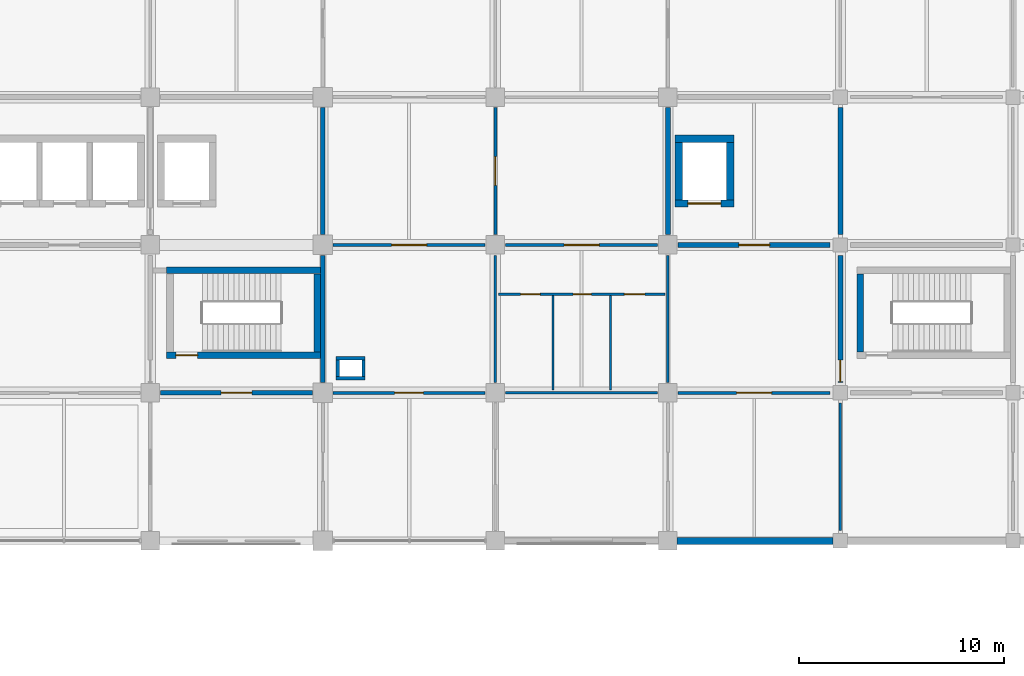
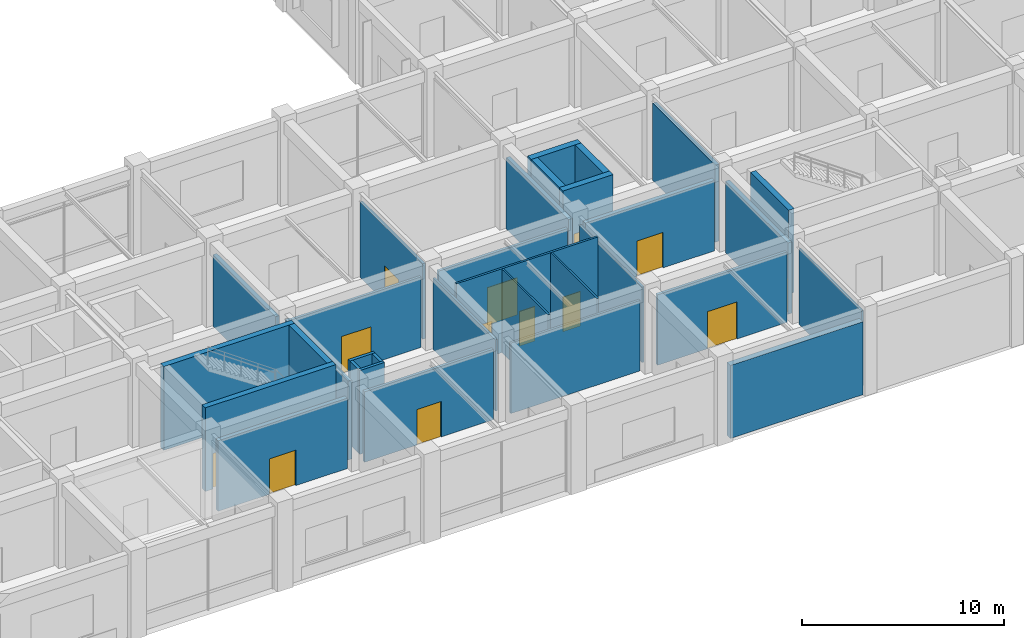
# One storey, part 25 of 41: 32 walls, 13 doors, 13 openings.
"""IFC4 building model written with IfcOpenShell, lengths in metres."""

from ifc_helpers import new_model, si_unit, derived_unit, direction, frame, frame_2d, origin, place, context, subcontext, project, spatial, rectangle, extrude, material, layer, layer_set, type_object, element, fill, save


model = new_model("IFC4")

# Units and contexts
model_context = context("Model", 3, precision=1e-05, world=origin(), true_north=direction((0.0, 1.0)))
body_context = subcontext(model_context, "Body", "Model", "MODEL_VIEW")
ifc_project = project(units=[si_unit("LENGTHUNIT", "METRE"), si_unit("AREAUNIT", "SQUARE_METRE"), si_unit("VOLUMEUNIT", "CUBIC_METRE"), si_unit("PLANEANGLEUNIT", "RADIAN"), si_unit("MASSUNIT", "GRAM", prefix="KILO"), derived_unit("THERMALTRANSMITTANCEUNIT", [(si_unit("MASSUNIT", "GRAM", prefix="KILO"), 1), (si_unit("TIMEUNIT", "SECOND"), -3), (si_unit("THERMODYNAMICTEMPERATUREUNIT", "KELVIN"), -1)])], contexts=[model_context])

# Site, building, storey
site_placement = place(None, origin())
site = spatial("IfcSite", under=ifc_project, at=site_placement, CompositionType="ELEMENT")
building_placement = place(site_placement, origin())
building = spatial("IfcBuilding", under=site, at=building_placement, Name="Veldstrom Oceanarium and Marine Research Institute", CompositionType="ELEMENT")
storey_placement = place(building_placement, frame((0.0, 0.0, 6.0)))
storey = spatial("IfcBuildingStorey", under=building, at=storey_placement, Name="L01", CompositionType="ELEMENT", Elevation=6.0)

# Wall
ifc_material_1 = material(Name="Masonry Cavity Wall", Category="masonry")
ifc_layer_1 = layer(ifc_material_1, 0.340087890625)
ifc_layer_set_1 = layer_set([ifc_layer_1], Name="ARC-WAL-EW4")
wall_type_1 = type_object("IfcWallType", Name="ARC-WAL-EW4", PredefinedType="SOLIDWALL", material=ifc_layer_set_1)
wall_1_placement = place(storey_placement, frame((118.050048828125, 43.199951171875, 0.0), z_axis=(0.0, 0.0, 1.0), x_axis=(1.0, 0.0, 0.0)))
element("IfcWall", 1, at=wall_1_placement, inside=storey, type_object=wall_type_1, Name="Exterior Facade Wall EW4 L01-096", PredefinedType="SOLIDWALL", context=body_context, shape_type="SweptSolid", body=[
    extrude(rectangle(XDim=7.599853515625, YDim=0.340087890625, at=frame_2d((3.7998046875, 0.0))), origin(), (0.0, 0.0, 1.0), 4.419921875),
])

# Wall, opening, door
ifc_material_2 = material(Name="Masonry Fire Compartment Wall", Category="masonry")
ifc_layer_2 = layer(ifc_material_2, 0.22998046875)
ifc_layer_set_2 = layer_set([ifc_layer_2], Name="ARC-WAL-PT1")
wall_type_2 = type_object("IfcWallType", Name="ARC-WAL-PT1", PredefinedType="PARTITIONING", material=ifc_layer_set_2)
wall_2_placement = place(storey_placement, frame((92.89990234375, 50.39990234375, 0.0), z_axis=(0.0, 0.0, 1.0), x_axis=(1.0, 0.0, 0.0)))
wall_2 = element("IfcWall", 2, at=wall_2_placement, inside=storey, type_object=wall_type_2, Name="Interior Partition PT1 L01-0965", PredefinedType="PARTITIONING", context=body_context, shape_type="SweptSolid", body=[
    extrude(rectangle(XDim=7.400146484375, YDim=0.22998046875, at=frame_2d((3.7001953125, 0.0))), origin(), (0.0, 0.0, 1.0), 4.27001953125),
])
opening_1_placement = place(wall_2_placement, frame((2.949951171875, 0.0, 0.0)))
opening_1 = element("IfcOpeningElement", 3, at=opening_1_placement, cuts=wall_2, Name="Opening D-L01-562", PredefinedType="OPENING", context=body_context, shape_type="SweptSolid", body=[
    extrude(rectangle(XDim=1.5, YDim=2.14990234375, at=frame_2d((0.75, 1.074951171875))), frame((0.0, 0.125, 0.0), z_axis=(0.0, -1.0, 0.0), x_axis=(1.0, 0.0, 0.0)), (0.0, 0.0, 1.0), 0.25),
])
ifc_material_3 = material(Name="Painted Steel Lobby Fire Door", Category="steel")
door_type_1 = type_object("IfcDoorType", Name="ARC-DOR-SD2", OperationType="DOUBLE_DOOR_SINGLE_SWING", PredefinedType="DOOR", material=ifc_material_3)
door_1_placement = place(opening_1_placement, frame((1.5, 0.0, 0.0), z_axis=(0.0, 0.0, 1.0), x_axis=(-1.0, 0.0, 0.0)))
door_1 = element("IfcDoor", 4, at=door_1_placement, inside=storey, type_object=door_type_1, Name="Interior Door D-L01-562", OperationType="DOUBLE_DOOR_SINGLE_SWING", OverallHeight=2.14990234375, OverallWidth=1.5, PredefinedType="DOOR", context=body_context, shape_type="SweptSolid", body=[
    extrude(rectangle(XDim=1.5, YDim=2.14990234375, at=frame_2d((0.75, 1.074951171875))), frame((0.0, 0.02490234375, 0.0), z_axis=(0.0, -1.0, 0.0), x_axis=(1.0, 0.0, 0.0)), (0.0, 0.0, 1.0), 0.050048828125),
])
fill(opening_1, door_1)

# Walls
wall_3_placement = place(storey_placement, frame((100.800048828125, 50.89990234375, 0.0), z_axis=(0.0, 0.0, 1.0), x_axis=(0.0, 1.0, 0.0)))
element("IfcWall", 5, at=wall_3_placement, inside=storey, type_object=wall_type_2, Name="Interior Partition PT1 L01-0966", PredefinedType="PARTITIONING", context=body_context, shape_type="SweptSolid", body=[
    extrude(rectangle(XDim=6.2001953125, YDim=0.22998046875, at=frame_2d((3.10009765625, 0.0))), origin(), (0.0, 0.0, 1.0), 4.780029296875),
])
for number, where, z_axis, x_axis, name in (
    (6, (100.800048828125, 58.10009765625, 0.0), (0.0, 0.0, 1.0), (0.0, 1.0, 0.0), "Interior Partition PT1 L01-0968"),
    (7, (117.60009765625, 58.10009765625, 0.0), (0.0, 0.0, 1.0), (0.0, 1.0, 0.0), "Interior Partition PT1 L01-0982"),
):
    element("IfcWall", number, at=place(storey_placement, frame(where, z_axis=z_axis, x_axis=x_axis)), inside=storey, type_object=wall_type_2, Name=name, PredefinedType="PARTITIONING", context=body_context, shape_type="SweptSolid", body=[
        extrude(rectangle(XDim=6.199951171875, YDim=0.22998046875, at=frame_2d((3.10009765625, 0.0))), origin(), (0.0, 0.0, 1.0), 4.320068359375),
    ])

# Wall, opening, door
wall_4_placement = place(storey_placement, frame((126.0, 50.89990234375, 0.0), z_axis=(0.0, 0.0, 1.0), x_axis=(0.0, 1.0, 0.0)))
wall_4 = element("IfcWall", 8, at=wall_4_placement, inside=storey, type_object=wall_type_2, Name="Interior Partition PT1 L01-0987", PredefinedType="PARTITIONING", context=body_context, shape_type="SweptSolid", body=[
    extrude(rectangle(XDim=6.2001953125, YDim=0.22998046875, at=frame_2d((3.10009765625, 0.0))), origin(), (0.0, 0.0, 1.0), 4.320068359375),
])
opening_2_placement = place(wall_4_placement, frame((0.050048828125, 0.0, 0.0)))
opening_2 = element("IfcOpeningElement", 9, at=opening_2_placement, cuts=wall_4, Name="Opening D-L01-573", PredefinedType="OPENING", context=body_context, shape_type="SweptSolid", body=[
    extrude(rectangle(XDim=1.050048828125, YDim=2.14990234375, at=frame_2d((0.52490234375, 1.074951171875))), frame((0.0, 0.125, 0.0), z_axis=(0.0, -1.0, 0.0), x_axis=(1.0, 0.0, 0.0)), (0.0, 0.0, 1.0), 0.25),
])
ifc_material_4 = material(Name="Painted Steel Fire Door", Category="steel")
door_type_2 = type_object("IfcDoorType", Name="ARC-DOR-SD1", OperationType="SINGLE_SWING_LEFT", PredefinedType="DOOR", material=ifc_material_4)
door_2_placement = place(opening_2_placement, origin())
door_2 = element("IfcDoor", 10, at=door_2_placement, inside=storey, type_object=door_type_2, Name="Interior Door D-L01-573", OperationType="SINGLE_SWING_LEFT", OverallHeight=2.14990234375, OverallWidth=1.050048828125, PredefinedType="DOOR", context=body_context, shape_type="SweptSolid", body=[
    extrude(rectangle(XDim=1.050048828125, YDim=2.14990234375, at=frame_2d((0.52490234375, 1.074951171875))), frame((0.0, 0.02490234375, 0.0), z_axis=(0.0, -1.0, 0.0), x_axis=(1.0, 0.0, 0.0)), (0.0, 0.0, 1.0), 0.050048828125),
])
fill(opening_2, door_2)

wall_5_placement = place(storey_placement, frame((118.10009765625, 57.60009765625, 0.0), z_axis=(0.0, 0.0, 1.0), x_axis=(1.0, 0.0, 0.0)))
wall_5 = element("IfcWall", 11, at=wall_5_placement, inside=storey, type_object=wall_type_2, Name="Interior Partition PT1 L01-0988", PredefinedType="PARTITIONING", context=body_context, shape_type="SweptSolid", body=[
    extrude(rectangle(XDim=7.39990234375, YDim=0.22998046875, at=frame_2d((3.699951171875, 0.0))), origin(), (0.0, 0.0, 1.0), 4.27001953125),
])
opening_3_placement = place(wall_5_placement, frame((2.949951171875, 0.0, 0.0)))
opening_3 = element("IfcOpeningElement", 12, at=opening_3_placement, cuts=wall_5, Name="Opening D-L01-574", PredefinedType="OPENING", context=body_context, shape_type="SweptSolid", body=[
    extrude(rectangle(XDim=1.5, YDim=2.14990234375, at=frame_2d((0.75, 1.074951171875))), frame((0.0, 0.125, 0.0), z_axis=(0.0, -1.0, 0.0), x_axis=(1.0, 0.0, 0.0)), (0.0, 0.0, 1.0), 0.25),
])
door_3_placement = place(opening_3_placement, frame((1.5, 0.0, 0.0), z_axis=(0.0, 0.0, 1.0), x_axis=(-1.0, 0.0, 0.0)))
door_3 = element("IfcDoor", 13, at=door_3_placement, inside=storey, type_object=door_type_1, Name="Interior Door D-L01-574", OperationType="DOUBLE_DOOR_SINGLE_SWING", OverallHeight=2.14990234375, OverallWidth=1.5, PredefinedType="DOOR", context=body_context, shape_type="SweptSolid", body=[
    extrude(rectangle(XDim=1.5, YDim=2.14990234375, at=frame_2d((0.75, 1.074951171875))), frame((0.0, 0.02490234375, 0.0), z_axis=(0.0, -1.0, 0.0), x_axis=(1.0, 0.0, 0.0)), (0.0, 0.0, 1.0), 0.050048828125),
])
fill(opening_3, door_3)

# Wall
wall_6_placement = place(storey_placement, frame((126.0, 58.10009765625, 0.0), z_axis=(0.0, 0.0, 1.0), x_axis=(0.0, 1.0, 0.0)))
element("IfcWall", 14, at=wall_6_placement, inside=storey, type_object=wall_type_2, Name="Interior Partition PT1 L01-0989", PredefinedType="PARTITIONING", context=body_context, shape_type="SweptSolid", body=[
    extrude(rectangle(XDim=6.199951171875, YDim=0.22998046875, at=frame_2d((3.10009765625, 0.0))), origin(), (0.0, 0.0, 1.0), 4.669921875),
])

# Wall, opening, door
ifc_material_5 = material(Name="Drywall Corridor Partition", Category="gypsum")
ifc_layer_3 = layer(ifc_material_5, 0.155029296875)
ifc_layer_set_3 = layer_set([ifc_layer_3], Name="ARC-WAL-PT4")
wall_type_3 = type_object("IfcWallType", Name="ARC-WAL-PT4", PredefinedType="PARTITIONING", material=ifc_layer_set_3)
wall_7_placement = place(storey_placement, frame((101.300048828125, 50.39990234375, 0.0), z_axis=(0.0, 0.0, 1.0), x_axis=(1.0, 0.0, 0.0)))
wall_7 = element("IfcWall", 15, at=wall_7_placement, inside=storey, type_object=wall_type_3, Name="Interior Partition PT4 L01-0972", PredefinedType="PARTITIONING", context=body_context, shape_type="SweptSolid", body=[
    extrude(rectangle(XDim=7.39990234375, YDim=0.155029296875, at=frame_2d((3.699951171875, 0.0))), origin(), (0.0, 0.0, 1.0), 4.27001953125),
])
opening_4_placement = place(wall_7_placement, frame((3.0, 0.0, 0.0)))
opening_4 = element("IfcOpeningElement", 16, at=opening_4_placement, cuts=wall_7, Name="Opening D-L01-565", PredefinedType="OPENING", context=body_context, shape_type="SweptSolid", body=[
    extrude(rectangle(XDim=1.39990234375, YDim=2.14990234375, at=frame_2d((0.699951171875, 1.074951171875))), frame((0.0, 0.08740234375, 0.0), z_axis=(0.0, -1.0, 0.0), x_axis=(1.0, 0.0, 0.0)), (0.0, 0.0, 1.0), 0.175048828125),
])
ifc_material_6 = material(Name="Education Classroom Door", Category="timber")
door_type_3 = type_object("IfcDoorType", Name="ARC-DOR-ID04", OperationType="DOUBLE_DOOR_SINGLE_SWING", PredefinedType="DOOR", material=ifc_material_6)
door_4_placement = place(opening_4_placement, frame((1.39990234375, 0.0, 0.0), z_axis=(0.0, 0.0, 1.0), x_axis=(-1.0, 0.0, 0.0)))
door_4 = element("IfcDoor", 17, at=door_4_placement, inside=storey, type_object=door_type_3, Name="Interior Door D-L01-565", OperationType="DOUBLE_DOOR_SINGLE_SWING", OverallHeight=2.14990234375, OverallWidth=1.39990234375, PredefinedType="DOOR", context=body_context, shape_type="SweptSolid", body=[
    extrude(rectangle(XDim=1.39990234375, YDim=2.14990234375, at=frame_2d((0.699951171875, 1.074951171875))), frame((0.0, 0.02490234375, 0.0), z_axis=(0.0, -1.0, 0.0), x_axis=(1.0, 0.0, 0.0)), (0.0, 0.0, 1.0), 0.050048828125),
])
fill(opening_4, door_4)

wall_8_placement = place(storey_placement, frame((109.199951171875, 58.10009765625, 0.0), z_axis=(0.0, 0.0, 1.0), x_axis=(0.0, 1.0, 0.0)))
wall_8 = element("IfcWall", 18, at=wall_8_placement, inside=storey, type_object=wall_type_3, Name="Interior Partition PT4 L01-0975", PredefinedType="PARTITIONING", context=body_context, shape_type="SweptSolid", body=[
    extrude(rectangle(XDim=6.199951171875, YDim=0.155029296875, at=frame_2d((3.10009765625, 0.0))), origin(), (0.0, 0.0, 1.0), 4.570068359375),
])
opening_5_placement = place(wall_8_placement, frame((2.39990234375, 0.0, 0.0)))
opening_5 = element("IfcOpeningElement", 19, at=opening_5_placement, cuts=wall_8, Name="Opening D-L01-567", PredefinedType="OPENING", context=body_context, shape_type="SweptSolid", body=[
    extrude(rectangle(XDim=1.39990234375, YDim=2.14990234375, at=frame_2d((0.699951171875, 1.074951171875))), frame((0.0, 0.08740234375, 0.0), z_axis=(0.0, -1.0, 0.0), x_axis=(1.0, 0.0, 0.0)), (0.0, 0.0, 1.0), 0.175048828125),
])
door_5_placement = place(opening_5_placement, origin())
door_5 = element("IfcDoor", 20, at=door_5_placement, inside=storey, type_object=door_type_3, Name="Interior Door D-L01-567", OperationType="DOUBLE_DOOR_SINGLE_SWING", OverallHeight=2.14990234375, OverallWidth=1.39990234375, PredefinedType="DOOR", context=body_context, shape_type="SweptSolid", body=[
    extrude(rectangle(XDim=1.39990234375, YDim=2.14990234375, at=frame_2d((0.699951171875, 1.074951171875))), frame((0.0, 0.02490234375, 0.0), z_axis=(0.0, -1.0, 0.0), x_axis=(1.0, 0.0, 0.0)), (0.0, 0.0, 1.0), 0.050048828125),
])
fill(opening_5, door_5)

wall_9_placement = place(storey_placement, frame((109.699951171875, 57.60009765625, 0.0), z_axis=(0.0, 0.0, 1.0), x_axis=(1.0, 0.0, 0.0)))
wall_9 = element("IfcWall", 21, at=wall_9_placement, inside=storey, type_object=wall_type_3, Name="Interior Partition PT4 L01-0981", PredefinedType="PARTITIONING", context=body_context, shape_type="SweptSolid", body=[
    extrude(rectangle(XDim=7.400146484375, YDim=0.155029296875, at=frame_2d((3.7001953125, 0.0))), origin(), (0.0, 0.0, 1.0), 4.27001953125),
])
opening_6_placement = place(wall_9_placement, frame((2.85009765625, 0.0, 0.0)))
opening_6 = element("IfcOpeningElement", 22, at=opening_6_placement, cuts=wall_9, Name="Opening D-L01-570", PredefinedType="OPENING", context=body_context, shape_type="SweptSolid", body=[
    extrude(rectangle(XDim=1.699951171875, YDim=2.25, at=frame_2d((0.85009765625, 1.125))), frame((0.0, 0.08740234375, 0.0), z_axis=(0.0, -1.0, 0.0), x_axis=(1.0, 0.0, 0.0)), (0.0, 0.0, 1.0), 0.175048828125),
])
ifc_material_7 = material(Name="Symposium Auditorium Door", Category="timber")
door_type_4 = type_object("IfcDoorType", Name="ARC-DOR-ID13", OperationType="DOUBLE_DOOR_SINGLE_SWING", PredefinedType="DOOR", material=ifc_material_7)
door_6_placement = place(opening_6_placement, frame((1.699951171875, 0.0, 0.0), z_axis=(0.0, 0.0, 1.0), x_axis=(-1.0, 0.0, 0.0)))
door_6 = element("IfcDoor", 23, at=door_6_placement, inside=storey, type_object=door_type_4, Name="Interior Door D-L01-570", OperationType="DOUBLE_DOOR_SINGLE_SWING", OverallHeight=2.25, OverallWidth=1.699951171875, PredefinedType="DOOR", context=body_context, shape_type="SweptSolid", body=[
    extrude(rectangle(XDim=1.699951171875, YDim=2.25, at=frame_2d((0.85009765625, 1.125))), frame((0.0, 0.02490234375, 0.0), z_axis=(0.0, -1.0, 0.0), x_axis=(1.0, 0.0, 0.0)), (0.0, 0.0, 1.0), 0.050048828125),
])
fill(opening_6, door_6)

wall_10_placement = place(storey_placement, frame((118.10009765625, 50.39990234375, 0.0), z_axis=(0.0, 0.0, 1.0), x_axis=(1.0, 0.0, 0.0)))
wall_10 = element("IfcWall", 24, at=wall_10_placement, inside=storey, type_object=wall_type_3, Name="Interior Partition PT4 L01-0986", PredefinedType="PARTITIONING", context=body_context, shape_type="SweptSolid", body=[
    extrude(rectangle(XDim=7.39990234375, YDim=0.155029296875, at=frame_2d((3.699951171875, 0.0))), origin(), (0.0, 0.0, 1.0), 4.27001953125),
])
opening_7_placement = place(wall_10_placement, frame((2.85009765625, 0.0, 0.0)))
opening_7 = element("IfcOpeningElement", 25, at=opening_7_placement, cuts=wall_10, Name="Opening D-L01-572", PredefinedType="OPENING", context=body_context, shape_type="SweptSolid", body=[
    extrude(rectangle(XDim=1.699951171875, YDim=2.25, at=frame_2d((0.85009765625, 1.125))), frame((0.0, 0.08740234375, 0.0), z_axis=(0.0, -1.0, 0.0), x_axis=(1.0, 0.0, 0.0)), (0.0, 0.0, 1.0), 0.175048828125),
])
door_7_placement = place(opening_7_placement, frame((1.699951171875, 0.0, 0.0), z_axis=(0.0, 0.0, 1.0), x_axis=(-1.0, 0.0, 0.0)))
door_7 = element("IfcDoor", 26, at=door_7_placement, inside=storey, type_object=door_type_4, Name="Interior Door D-L01-572", OperationType="DOUBLE_DOOR_SINGLE_SWING", OverallHeight=2.25, OverallWidth=1.699951171875, PredefinedType="DOOR", context=body_context, shape_type="SweptSolid", body=[
    extrude(rectangle(XDim=1.699951171875, YDim=2.25, at=frame_2d((0.85009765625, 1.125))), frame((0.0, 0.02490234375, 0.0), z_axis=(0.0, -1.0, 0.0), x_axis=(1.0, 0.0, 0.0)), (0.0, 0.0, 1.0), 0.050048828125),
])
fill(opening_7, door_7)

ifc_material_8 = material(Name="Moisture-Resistant Wet-Area Partition", Category="masonry")
ifc_layer_4 = layer(ifc_material_8, 0.139892578125)
ifc_layer_set_4 = layer_set([ifc_layer_4], Name="ARC-WAL-PT5")
wall_type_4 = type_object("IfcWallType", Name="ARC-WAL-PT5", PredefinedType="PARTITIONING", material=ifc_layer_set_4)
wall_11_placement = place(storey_placement, frame((101.300048828125, 57.60009765625, 0.0), z_axis=(0.0, 0.0, 1.0), x_axis=(1.0, 0.0, 0.0)))
wall_11 = element("IfcWall", 27, at=wall_11_placement, inside=storey, type_object=wall_type_4, Name="Interior Partition PT5 L01-0974", PredefinedType="PARTITIONING", context=body_context, shape_type="SweptSolid", body=[
    extrude(rectangle(XDim=7.39990234375, YDim=0.139892578125, at=frame_2d((3.699951171875, 0.0))), origin(), (0.0, 0.0, 1.0), 4.27001953125),
])
opening_8_placement = place(wall_11_placement, frame((2.85009765625, 0.0, 0.0)))
opening_8 = element("IfcOpeningElement", 28, at=opening_8_placement, cuts=wall_11, Name="Opening D-L01-566", PredefinedType="OPENING", context=body_context, shape_type="SweptSolid", body=[
    extrude(rectangle(XDim=1.699951171875, YDim=2.25, at=frame_2d((0.85009765625, 1.125))), frame((0.0, 0.079833984375, 0.0), z_axis=(0.0, -1.0, 0.0), x_axis=(1.0, 0.0, 0.0)), (0.0, 0.0, 1.0), 0.159912109375),
])
door_8_placement = place(opening_8_placement, origin())
door_8 = element("IfcDoor", 29, at=door_8_placement, inside=storey, type_object=door_type_4, Name="Interior Door D-L01-566", OperationType="DOUBLE_DOOR_SINGLE_SWING", OverallHeight=2.25, OverallWidth=1.699951171875, PredefinedType="DOOR", context=body_context, shape_type="SweptSolid", body=[
    extrude(rectangle(XDim=1.699951171875, YDim=2.25, at=frame_2d((0.85009765625, 1.125))), frame((0.0, 0.02490234375, 0.0), z_axis=(0.0, -1.0, 0.0), x_axis=(1.0, 0.0, 0.0)), (0.0, 0.0, 1.0), 0.050048828125),
])
fill(opening_8, door_8)

# Wall, openings, doors
ifc_material_9 = material(Name="Lightweight Studio Partition", Category="gypsum")
ifc_layer_5 = layer(ifc_material_9, 0.1201171875)
ifc_layer_set_5 = layer_set([ifc_layer_5], Name="ARC-WAL-PT6")
wall_type_5 = type_object("IfcWallType", Name="ARC-WAL-PT6", PredefinedType="PARTITIONING", material=ifc_layer_set_5)
wall_12_placement = place(storey_placement, frame((109.35009765625, 55.199951171875, 0.0), z_axis=(0.0, 0.0, 1.0), x_axis=(1.0, 0.0, 0.0)))
wall_12 = element("IfcWall", 30, at=wall_12_placement, inside=storey, type_object=wall_type_5, Name="Sanitary Vestibule Partition L01-13", PredefinedType="PARTITIONING", context=body_context, shape_type="SweptSolid", body=[
    extrude(rectangle(XDim=8.099853515625, YDim=0.1201171875, at=frame_2d((4.0498046875, 0.0))), origin(), (0.0, 0.0, 1.0), 5.074951171875),
])
opening_9_placement = place(wall_12_placement, frame((1.080078125, 0.0, 0.0)))
opening_9 = element("IfcOpeningElement", 31, at=opening_9_placement, cuts=wall_12, Name="Opening D-L01-WC474", PredefinedType="OPENING", context=body_context, shape_type="SweptSolid", body=[
    extrude(rectangle(XDim=0.949951171875, YDim=2.10009765625, at=frame_2d((0.47509765625, 1.050048828125))), frame((0.0, 0.070068359375, 0.0), z_axis=(0.0, -1.0, 0.0), x_axis=(1.0, 0.0, 0.0)), (0.0, 0.0, 1.0), 0.14013671875),
])
opening_10_placement = place(wall_12_placement, frame((3.6298828125, 0.0, 0.0)))
opening_10 = element("IfcOpeningElement", 32, at=opening_10_placement, cuts=wall_12, Name="Opening D-L01-WC475", PredefinedType="OPENING", context=body_context, shape_type="SweptSolid", body=[
    extrude(rectangle(XDim=0.89990234375, YDim=2.10009765625, at=frame_2d((0.449951171875, 1.050048828125))), frame((0.0, 0.070068359375, 0.0), z_axis=(0.0, -1.0, 0.0), x_axis=(1.0, 0.0, 0.0)), (0.0, 0.0, 1.0), 0.14013671875),
])
opening_11_placement = place(wall_12_placement, frame((6.1298828125, 0.0, 0.0)))
opening_11 = element("IfcOpeningElement", 33, at=opening_11_placement, cuts=wall_12, Name="Opening D-L01-WC476", PredefinedType="OPENING", context=body_context, shape_type="SweptSolid", body=[
    extrude(rectangle(XDim=1.0, YDim=2.10009765625, at=frame_2d((0.5, 1.050048828125))), frame((0.0, 0.070068359375, 0.0), z_axis=(0.0, -1.0, 0.0), x_axis=(1.0, 0.0, 0.0)), (0.0, 0.0, 1.0), 0.14013671875),
])
ifc_material_10 = material(Name="Accessible Sanitary Door", Category="timber")
door_type_5 = type_object("IfcDoorType", Name="ARC-DOR-ID08", OperationType="SINGLE_SWING_RIGHT", PredefinedType="DOOR", material=ifc_material_10)
door_9_placement = place(opening_11_placement, frame((1.0, 0.0, 0.0), z_axis=(0.0, 0.0, 1.0), x_axis=(-1.0, 0.0, 0.0)))
door_9 = element("IfcDoor", 34, at=door_9_placement, inside=storey, type_object=door_type_5, Name="Accessible WC Door D-L01-WC476", OperationType="SINGLE_SWING_RIGHT", OverallHeight=2.10009765625, OverallWidth=1.0, PredefinedType="DOOR", context=body_context, shape_type="SweptSolid", body=[
    extrude(rectangle(XDim=1.0, YDim=2.10009765625, at=frame_2d((0.5, 1.050048828125))), frame((0.0, 0.02490234375, 0.0), z_axis=(0.0, -1.0, 0.0), x_axis=(1.0, 0.0, 0.0)), (0.0, 0.0, 1.0), 0.050048828125),
])
fill(opening_11, door_9)
ifc_material_11 = material(Name="Staff Sanitary Door", Category="timber")
door_type_6 = type_object("IfcDoorType", Name="ARC-DOR-ID09", OperationType="SINGLE_SWING_LEFT", PredefinedType="DOOR", material=ifc_material_11)
door_10_placement = place(opening_9_placement, frame((0.949951171875, 0.0, 0.0), z_axis=(0.0, 0.0, 1.0), x_axis=(-1.0, 0.0, 0.0)))
door_10 = element("IfcDoor", 35, at=door_10_placement, inside=storey, type_object=door_type_6, Name="Male WC Door D-L01-WC474", OperationType="SINGLE_SWING_RIGHT", OverallHeight=2.10009765625, OverallWidth=0.949951171875, PredefinedType="DOOR", context=body_context, shape_type="SweptSolid", body=[
    extrude(rectangle(XDim=0.949951171875, YDim=2.10009765625, at=frame_2d((0.47509765625, 1.050048828125))), frame((0.0, 0.02490234375, 0.0), z_axis=(0.0, -1.0, 0.0), x_axis=(1.0, 0.0, 0.0)), (0.0, 0.0, 1.0), 0.050048828125),
])
fill(opening_9, door_10)
ifc_material_12 = material(Name="Internal Sanitary Door", Category="timber")
door_type_7 = type_object("IfcDoorType", Name="ARC-DOR-ID10", OperationType="SINGLE_SWING_RIGHT", PredefinedType="DOOR", material=ifc_material_12)
door_11_placement = place(opening_10_placement, frame((0.89990234375, 0.0, 0.0), z_axis=(0.0, 0.0, 1.0), x_axis=(-1.0, 0.0, 0.0)))
door_11 = element("IfcDoor", 36, at=door_11_placement, inside=storey, type_object=door_type_7, Name="Female WC Door D-L01-WC475", OperationType="SINGLE_SWING_LEFT", OverallHeight=2.10009765625, OverallWidth=0.89990234375, PredefinedType="DOOR", context=body_context, shape_type="SweptSolid", body=[
    extrude(rectangle(XDim=0.89990234375, YDim=2.10009765625, at=frame_2d((0.449951171875, 1.050048828125))), frame((0.0, 0.02490234375, 0.0), z_axis=(0.0, -1.0, 0.0), x_axis=(1.0, 0.0, 0.0)), (0.0, 0.0, 1.0), 0.050048828125),
])
fill(opening_10, door_11)

# Walls
wall_13_placement = place(storey_placement, frame((109.199951171875, 50.89990234375, 0.0), z_axis=(0.0, 0.0, 1.0), x_axis=(0.0, 1.0, 0.0)))
element("IfcWall", 37, at=wall_13_placement, inside=storey, type_object=wall_type_5, Name="Interior Partition PT6 L01-0973", PredefinedType="PARTITIONING", context=body_context, shape_type="SweptSolid", body=[
    extrude(rectangle(XDim=6.2001953125, YDim=0.1201171875, at=frame_2d((3.10009765625, 0.0))), origin(), (0.0, 0.0, 1.0), 4.320068359375),
])
wall_14_placement = place(storey_placement, frame((109.699951171875, 50.39990234375, 0.0), z_axis=(0.0, 0.0, 1.0), x_axis=(1.0, 0.0, 0.0)))
element("IfcWall", 38, at=wall_14_placement, inside=storey, type_object=wall_type_5, Name="Interior Partition PT6 L01-0979", PredefinedType="PARTITIONING", context=body_context, shape_type="SweptSolid", body=[
    extrude(rectangle(XDim=7.400146484375, YDim=0.1201171875, at=frame_2d((3.7001953125, 0.0))), origin(), (0.0, 0.0, 1.0), 4.27001953125),
])
wall_15_placement = place(storey_placement, frame((117.60009765625, 50.89990234375, 0.0), z_axis=(0.0, 0.0, 1.0), x_axis=(0.0, 1.0, 0.0)))
element("IfcWall", 39, at=wall_15_placement, inside=storey, type_object=wall_type_5, Name="Interior Partition PT6 L01-0980", PredefinedType="PARTITIONING", context=body_context, shape_type="SweptSolid", body=[
    extrude(rectangle(XDim=6.2001953125, YDim=0.1201171875, at=frame_2d((3.10009765625, 0.0))), origin(), (0.0, 0.0, 1.0), 4.570068359375),
])
wall_16_placement = place(storey_placement, frame((126.0, 43.699951171875, 0.0), z_axis=(0.0, 0.0, 1.0), x_axis=(0.0, 1.0, 0.0)))
element("IfcWall", 40, at=wall_16_placement, inside=storey, type_object=wall_type_5, Name="Interior Partition PT6 L01-0985", PredefinedType="PARTITIONING", context=body_context, shape_type="SweptSolid", body=[
    extrude(rectangle(XDim=6.199951171875, YDim=0.1201171875, at=frame_2d((3.10009765625, 0.0))), origin(), (0.0, 0.0, 1.0), 4.570068359375),
])
ifc_material_13 = material(Name="Sanitary Cubicle Partition", Category="gypsum")
ifc_layer_6 = layer(ifc_material_13, 0.10009765625)
ifc_layer_set_6 = layer_set([ifc_layer_6], Name="ARC-WAL-PT7")
wall_type_6 = type_object("IfcWallType", Name="ARC-WAL-PT7", PredefinedType="PARTITIONING", material=ifc_layer_set_6)
for number, where, z_axis, x_axis, name in (
    (41, (112.0, 50.550048828125, 0.0), (0.0, 0.0, 1.0), (0.0, 1.0, 0.0), "Sanitary Stall Divider Wall L01-0824"),
    (42, (114.800048828125, 50.550048828125, 0.0), (0.0, 0.0, 1.0), (0.0, 1.0, 0.0), "Sanitary Stall Divider Wall L01-0825"),
):
    element("IfcWall", number, at=place(storey_placement, frame(where, z_axis=z_axis, x_axis=x_axis)), inside=storey, type_object=wall_type_6, Name=name, PredefinedType="PARTITIONING", context=body_context, shape_type="SweptSolid", body=[
        extrude(rectangle(XDim=4.58984375, YDim=0.10009765625, at=frame_2d((2.294921875, 0.0))), origin(), (0.0, 0.0, 1.0), 5.074951171875),
    ])
ifc_material_14 = material(Name="Service Riser Fire Shaft Wall", Category="masonry")
ifc_layer_7 = layer(ifc_material_14, 0.1650390625)
ifc_layer_set_7 = layer_set([ifc_layer_7], Name="ARC-WAL-PT9")
wall_type_7 = type_object("IfcWallType", Name="ARC-WAL-PT9", PredefinedType="PARTITIONING", material=ifc_layer_set_7)
for number, where, z_axis, x_axis, name in (
    (43, (101.43505859375, 51.117431640625, 0.0), (0.0, 0.0, 1.0), (1.0, 0.0, 0.0), "Service Riser Fire Shaft Wall L01-CE-S"),
    (44, (101.43505859375, 52.08251953125, 0.0), (0.0, 0.0, 1.0), (1.0, 0.0, 0.0), "Service Riser Fire Shaft Wall L01-CE-N"),
):
    element("IfcWall", number, at=place(storey_placement, frame(where, z_axis=z_axis, x_axis=x_axis)), inside=storey, type_object=wall_type_7, Name=name, PredefinedType="PARTITIONING", context=body_context, shape_type="SweptSolid", body=[
        extrude(rectangle(XDim=1.429931640625, YDim=0.1650390625, at=frame_2d((0.71484375, 0.0))), origin(), (0.0, 0.0, 1.0), 5.074951171875),
    ])
for number, where, z_axis, x_axis, name in (
    (45, (101.517578125, 51.199951171875, 0.0), (0.0, 0.0, 1.0), (0.0, 1.0, 0.0), "Service Riser Fire Shaft Wall L01-CE-W"),
    (46, (102.782470703125, 51.199951171875, 0.0), (0.0, 0.0, 1.0), (0.0, 1.0, 0.0), "Service Riser Fire Shaft Wall L01-CE-E"),
):
    element("IfcWall", number, at=place(storey_placement, frame(where, z_axis=z_axis, x_axis=x_axis)), inside=storey, type_object=wall_type_7, Name=name, PredefinedType="PARTITIONING", context=body_context, shape_type="SweptSolid", body=[
        extrude(rectangle(XDim=0.800048828125, YDim=0.1650390625, at=frame_2d((0.39990234375, 0.0))), origin(), (0.0, 0.0, 1.0), 5.074951171875),
    ])
ifc_material_15 = material(Name="Concrete C40/50", Category="concrete")
ifc_layer_8 = layer(ifc_material_15, 0.360107421875)
ifc_layer_set_8 = layer_set([ifc_layer_8], Name="STR-WAL-WC2")
wall_type_8 = type_object("IfcWallType", Name="STR-WAL-WC2", PredefinedType="SHEAR", material=ifc_layer_set_8)
wall_17_placement = place(storey_placement, frame((117.93994140625, 62.780029296875, 0.0), z_axis=(0.0, 0.0, 1.0), x_axis=(1.0, 0.0, 0.0)))
element("IfcWall", 47, at=wall_17_placement, inside=storey, type_object=wall_type_8, Name="Lift Shaft Shear Wall N L01 14/8", PredefinedType="SHEAR", context=body_context, shape_type="SweptSolid", body=[
    extrude(rectangle(XDim=2.8701171875, YDim=0.360107421875, at=frame_2d((1.43505859375, 0.0))), origin(), (0.0, 0.0, 1.0), 5.074951171875),
])

# Wall, opening, door
wall_18_placement = place(storey_placement, frame((117.93994140625, 59.6201171875, 0.0), z_axis=(0.0, 0.0, 1.0), x_axis=(1.0, 0.0, 0.0)))
wall_18 = element("IfcWall", 48, at=wall_18_placement, inside=storey, type_object=wall_type_8, Name="Lift Shaft Front Shear Wall LG1 L01", PredefinedType="SHEAR", context=body_context, shape_type="SweptSolid", body=[
    extrude(rectangle(XDim=2.8701171875, YDim=0.360107421875, at=frame_2d((1.43505859375, 0.0))), origin(), (0.0, 0.0, 1.0), 5.074951171875),
])
opening_12_placement = place(wall_18_placement, frame((0.635009765625, 0.0, 0.0)))
opening_12 = element("IfcOpeningElement", 49, at=opening_12_placement, cuts=wall_18, Name="Opening LD-LG1-L01", PredefinedType="OPENING", context=body_context, shape_type="SweptSolid", body=[
    extrude(rectangle(XDim=1.60009765625, YDim=2.25, at=frame_2d((0.800048828125, 1.125))), frame((0.0, 0.18994140625, 0.0), z_axis=(0.0, -1.0, 0.0), x_axis=(1.0, 0.0, 0.0)), (0.0, 0.0, 1.0), 0.380126953125),
])
ifc_material_16 = material(Name="Heavy Goods Lift Landing Door", Category="steel")
door_type_8 = type_object("IfcDoorType", Name="ARC-DOR-LD4", OperationType="DOUBLE_DOOR_SLIDING", PredefinedType="DOOR", material=ifc_material_16)
door_12_placement = place(opening_12_placement, origin())
door_12 = element("IfcDoor", 50, at=door_12_placement, inside=storey, type_object=door_type_8, Name="Lift Landing Door LD-LG1-L01", OperationType="DOUBLE_DOOR_SLIDING", OverallHeight=2.25, OverallWidth=1.60009765625, PredefinedType="DOOR", context=body_context, shape_type="SweptSolid", body=[
    extrude(rectangle(XDim=1.60009765625, YDim=2.25, at=frame_2d((0.800048828125, 1.125))), frame((0.0, 0.02490234375, 0.0), z_axis=(0.0, -1.0, 0.0), x_axis=(1.0, 0.0, 0.0)), (0.0, 0.0, 1.0), 0.050048828125),
])
fill(opening_12, door_12)

# Walls
for number, where, z_axis, x_axis, name in (
    (51, (118.1201171875, 59.800048828125, 0.0), (0.0, 0.0, 1.0), (0.0, 1.0, 0.0), "Lift Shaft Shear Wall W L01 14/8"),
    (52, (120.6298828125, 59.800048828125, 0.0), (0.0, 0.0, 1.0), (0.0, 1.0, 0.0), "Lift Shaft Shear Wall E L01 14/8"),
):
    element("IfcWall", number, at=place(storey_placement, frame(where, z_axis=z_axis, x_axis=x_axis)), inside=storey, type_object=wall_type_8, Name=name, PredefinedType="SHEAR", context=body_context, shape_type="SweptSolid", body=[
        extrude(rectangle(XDim=2.800048828125, YDim=0.360107421875, at=frame_2d((1.39990234375, 0.0))), origin(), (0.0, 0.0, 1.0), 5.074951171875),
    ])

# Wall, opening, door
ifc_material_17 = material(Name="Concrete C40/50", Category="concrete")
ifc_layer_9 = layer(ifc_material_17, 0.320068359375)
ifc_layer_set_9 = layer_set([ifc_layer_9], Name="STR-WAL-WC3")
wall_type_9 = type_object("IfcWallType", Name="STR-WAL-WC3", PredefinedType="SHEAR", material=ifc_layer_set_9)
wall_19_placement = place(storey_placement, frame((93.199951171875, 52.239990234375, 0.0), z_axis=(0.0, 0.0, 1.0), x_axis=(1.0, 0.0, 0.0)))
wall_19 = element("IfcWall", 53, at=wall_19_placement, inside=storey, type_object=wall_type_9, Name="Stair Core Shear Wall SC2-L01-S", PredefinedType="SHEAR", context=body_context, shape_type="SweptSolid", body=[
    extrude(rectangle(XDim=7.47998046875, YDim=0.320068359375, at=frame_2d((3.739990234375, 0.0))), origin(), (0.0, 0.0, 1.0), 5.074951171875),
])
opening_13_placement = place(wall_19_placement, frame((0.449951171875, 0.0, 0.0)))
opening_13 = element("IfcOpeningElement", 54, at=opening_13_placement, cuts=wall_19, Name="Opening D-ST2-L01", PredefinedType="OPENING", context=body_context, shape_type="SweptSolid", body=[
    extrude(rectangle(XDim=1.050048828125, YDim=2.14990234375, at=frame_2d((0.52490234375, 1.074951171875))), frame((0.0, 0.169921875, 0.0), z_axis=(0.0, -1.0, 0.0), x_axis=(1.0, 0.0, 0.0)), (0.0, 0.0, 1.0), 0.340087890625),
])
door_13_placement = place(opening_13_placement, origin())
door_13 = element("IfcDoor", 55, at=door_13_placement, inside=storey, type_object=door_type_2, Name="Escape Stair Fire Door D-ST2-L01", OperationType="SINGLE_SWING_LEFT", OverallHeight=2.14990234375, OverallWidth=1.050048828125, PredefinedType="DOOR", context=body_context, shape_type="SweptSolid", body=[
    extrude(rectangle(XDim=1.050048828125, YDim=2.14990234375, at=frame_2d((0.52490234375, 1.074951171875))), frame((0.0, 0.02490234375, 0.0), z_axis=(0.0, -1.0, 0.0), x_axis=(1.0, 0.0, 0.0)), (0.0, 0.0, 1.0), 0.050048828125),
])
fill(opening_13, door_13)

# Walls
wall_20_placement = place(storey_placement, frame((93.199951171875, 56.360107421875, 0.0), z_axis=(0.0, 0.0, 1.0), x_axis=(1.0, 0.0, 0.0)))
element("IfcWall", 56, at=wall_20_placement, inside=storey, type_object=wall_type_9, Name="Stair Core Shear Wall SC2-L01-N", PredefinedType="SHEAR", context=body_context, shape_type="SweptSolid", body=[
    extrude(rectangle(XDim=7.47998046875, YDim=0.320068359375, at=frame_2d((3.739990234375, 0.0))), origin(), (0.0, 0.0, 1.0), 5.074951171875),
])
for number, where, z_axis, x_axis, name in (
    (57, (100.52001953125, 52.39990234375, 0.0), (0.0, 0.0, 1.0), (0.0, 1.0, 0.0), "Stair Core Shear Wall SC2-L01-E"),
    (58, (126.9599609375, 52.39990234375, 0.0), (0.0, 0.0, 1.0), (0.0, 1.0, 0.0), "Stair Core Shear Wall SC4-L01-W"),
):
    element("IfcWall", number, at=place(storey_placement, frame(where, z_axis=z_axis, x_axis=x_axis)), inside=storey, type_object=wall_type_9, Name=name, PredefinedType="SHEAR", context=body_context, shape_type="SweptSolid", body=[
        extrude(rectangle(XDim=3.800048828125, YDim=0.320068359375, at=frame_2d((1.89990234375, 0.0))), origin(), (0.0, 0.0, 1.0), 5.074951171875),
    ])

save(model, "model.ifc")
